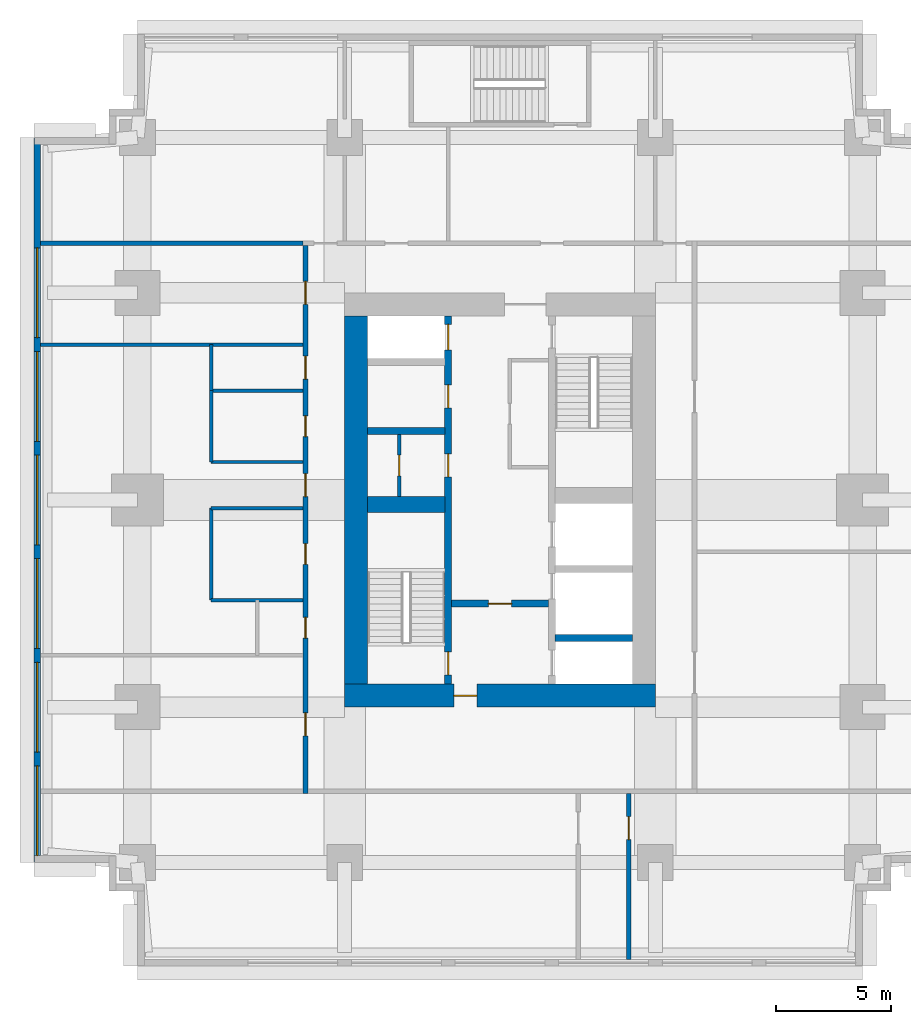
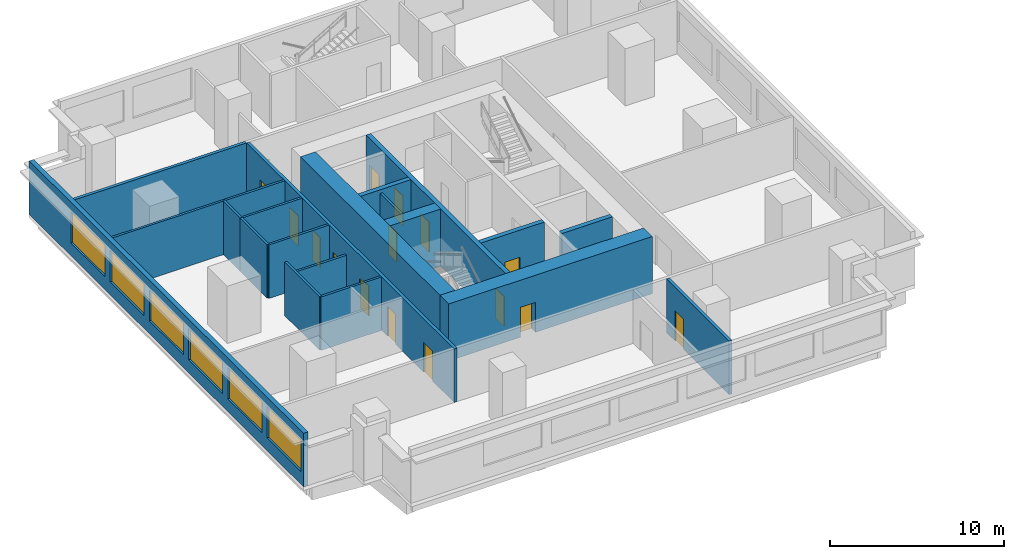
# One storey, part 3 of 11: 20 walls, 15 doors, 6 windows, 21 openings.
"""IFC4 building model written with IfcOpenShell, lengths in metres."""

from ifc_helpers import new_model, si_unit, direction, frame, frame_2d, origin, place, context, subcontext, project, spatial, rectangle, extrude, material, layer, layer_set, type_object, element, fill, save


model = new_model("IFC4")

# Units and contexts
model_context = context("Model", 3, precision=1e-05, world=origin(), true_north=direction((0.0, 1.0)))
body_context = subcontext(model_context, "Body", "Model", "MODEL_VIEW")
ifc_project = project(units=[si_unit("LENGTHUNIT", "METRE"), si_unit("AREAUNIT", "SQUARE_METRE"), si_unit("VOLUMEUNIT", "CUBIC_METRE"), si_unit("PLANEANGLEUNIT", "RADIAN"), si_unit("MASSUNIT", "GRAM", prefix="KILO")], contexts=[model_context])

# Site, building, storey
site_placement = place(None, origin())
site = spatial("IfcSite", under=ifc_project, at=site_placement, CompositionType="ELEMENT")
building_placement = place(site_placement, origin())
building = spatial("IfcBuilding", under=site, at=building_placement, Name="Namib Vertical Campus", CompositionType="ELEMENT")
storey_placement = place(building_placement, frame((0.0, 0.0, 209.0)))
storey = spatial("IfcBuildingStorey", under=building, at=storey_placement, Name="L49", CompositionType="ELEMENT", Elevation=209.0)

# Wall, openings, doors
ifc_material_1 = material(Name="Concrete C60/75", Category="concrete")
ifc_layer_1 = layer(ifc_material_1, 0.300048828125)
ifc_layer_set_1 = layer_set([ifc_layer_1], Name="Concrete C60/75")
wall_type_1 = type_object("IfcWallType", Name="Core inner wall 300", PredefinedType="SHEAR", material=ifc_layer_set_1)
wall_1_placement = place(storey_placement, frame((18.0, 12.25, 0.0), z_axis=(0.0, 0.0, 1.0), x_axis=(0.0, 1.0, 0.0)))
wall_1 = element("IfcWall", 1, at=wall_1_placement, inside=storey, type_object=wall_type_1, Name="Core inner wall A L49 W1", PredefinedType="SHEAR", context=body_context, shape_type="SweptSolid", body=[
    extrude(rectangle(XDim=16.0, YDim=0.300048828125, at=frame_2d((8.0, 0.0))), origin(), (0.0, 0.0, 1.0), 4.0),
])
opening_1_placement = place(wall_1_placement, frame((0.39990234375, 0.0, 0.0)))
opening_1 = element("IfcOpeningElement", 2, at=opening_1_placement, cuts=wall_1, Name="Opening FD1", PredefinedType="OPENING", context=body_context, shape_type="SweptSolid", body=[
    extrude(rectangle(XDim=1.0, YDim=2.10009765625, at=frame_2d((0.5, 1.050048828125))), frame((0.0, 0.159912109375, 0.0), z_axis=(0.0, -1.0, 0.0), x_axis=(1.0, 0.0, 0.0)), (0.0, 0.0, 1.0), 0.320068359375),
])
opening_2_placement = place(wall_1_placement, frame((14.52490234375, 0.0, 0.0)))
opening_2 = element("IfcOpeningElement", 3, at=opening_2_placement, cuts=wall_1, Name="Opening LD1", PredefinedType="OPENING", context=body_context, shape_type="SweptSolid", body=[
    extrude(rectangle(XDim=1.10009765625, YDim=2.10009765625, at=frame_2d((0.550048828125, 1.050048828125))), frame((0.0, 0.159912109375, 0.0), z_axis=(0.0, -1.0, 0.0), x_axis=(1.0, 0.0, 0.0)), (0.0, 0.0, 1.0), 0.320068359375),
])
opening_3_placement = place(wall_1_placement, frame((9.0, 0.0, 0.0)))
opening_3 = element("IfcOpeningElement", 4, at=opening_3_placement, cuts=wall_1, Name="Opening D1", PredefinedType="OPENING", context=body_context, shape_type="SweptSolid", body=[
    extrude(rectangle(XDim=1.0, YDim=2.10009765625, at=frame_2d((0.5, 1.050048828125))), frame((0.0, 0.159912109375, 0.0), z_axis=(0.0, -1.0, 0.0), x_axis=(1.0, 0.0, 0.0)), (0.0, 0.0, 1.0), 0.320068359375),
])
opening_4_placement = place(wall_1_placement, frame((12.0, 0.0, 0.0)))
opening_4 = element("IfcOpeningElement", 5, at=opening_4_placement, cuts=wall_1, Name="Opening D1", PredefinedType="OPENING", context=body_context, shape_type="SweptSolid", body=[
    extrude(rectangle(XDim=1.0, YDim=2.10009765625, at=frame_2d((0.5, 1.050048828125))), frame((0.0, 0.159912109375, 0.0), z_axis=(0.0, -1.0, 0.0), x_axis=(1.0, 0.0, 0.0)), (0.0, 0.0, 1.0), 0.320068359375),
])
ifc_material_2 = material(Name="Timber door leaf", Category="wood")
door_type_1 = type_object("IfcDoorType", Name="Door single 1000x2100", OperationType="SINGLE_SWING_LEFT", PredefinedType="DOOR", material=ifc_material_2)
door_1_placement = place(opening_3_placement, origin())
door_1 = element("IfcDoor", 6, at=door_1_placement, inside=storey, type_object=door_type_1, Name="Door D1 Records store A L49 P1", OperationType="SINGLE_SWING_LEFT", OverallHeight=2.10009765625, OverallWidth=1.0, PredefinedType="DOOR", context=body_context, shape_type="SweptSolid", body=[
    extrude(rectangle(XDim=1.0, YDim=2.10009765625, at=frame_2d((0.5, 1.050048828125))), frame((0.0, 0.02490234375, 0.0), z_axis=(0.0, -1.0, 0.0), x_axis=(1.0, 0.0, 0.0)), (0.0, 0.0, 1.0), 0.050048828125),
])
fill(opening_3, door_1)
door_2_placement = place(opening_4_placement, origin())
door_2 = element("IfcDoor", 7, at=door_2_placement, inside=storey, type_object=door_type_1, Name="Door D1 Staff pantry A L49 P2", OperationType="SINGLE_SWING_LEFT", OverallHeight=2.10009765625, OverallWidth=1.0, PredefinedType="DOOR", context=body_context, shape_type="SweptSolid", body=[
    extrude(rectangle(XDim=1.0, YDim=2.10009765625, at=frame_2d((0.5, 1.050048828125))), frame((0.0, 0.02490234375, 0.0), z_axis=(0.0, -1.0, 0.0), x_axis=(1.0, 0.0, 0.0)), (0.0, 0.0, 1.0), 0.050048828125),
])
fill(opening_4, door_2)
ifc_material_3 = material(Name="Steel fire door", Category="steel")
door_type_2 = type_object("IfcDoorType", Name="Fire door 1000x2100", OperationType="SINGLE_SWING_RIGHT", PredefinedType="DOOR", material=ifc_material_3)
door_3_placement = place(opening_1_placement, origin())
door_3 = element("IfcDoor", 8, at=door_3_placement, inside=storey, type_object=door_type_2, Name="Stair door FD1 A L49 S1", OperationType="SINGLE_SWING_LEFT", OverallHeight=2.10009765625, OverallWidth=1.0, PredefinedType="DOOR", context=body_context, shape_type="SweptSolid", body=[
    extrude(rectangle(XDim=1.0, YDim=2.10009765625, at=frame_2d((0.5, 1.050048828125))), frame((0.0, 0.02490234375, 0.0), z_axis=(0.0, -1.0, 0.0), x_axis=(1.0, 0.0, 0.0)), (0.0, 0.0, 1.0), 0.050048828125),
])
fill(opening_1, door_3)
ifc_material_4 = material(Name="Stainless steel lift door", Category="steel")
door_type_3 = type_object("IfcDoorType", Name="Lift landing door 1100x2100", OperationType="DOUBLE_DOOR_SLIDING", PredefinedType="DOOR", material=ifc_material_4)
door_4_placement = place(opening_2_placement, origin())
door_4 = element("IfcDoor", 9, at=door_4_placement, inside=storey, type_object=door_type_3, Name="Lift landing door LD1 A-P3 L49", OperationType="DOUBLE_DOOR_SLIDING", OverallHeight=2.10009765625, OverallWidth=1.10009765625, PredefinedType="DOOR", context=body_context, shape_type="SweptSolid", body=[
    extrude(rectangle(XDim=1.10009765625, YDim=2.10009765625, at=frame_2d((0.550048828125, 1.050048828125))), frame((0.0, 0.02490234375, 0.0), z_axis=(0.0, -1.0, 0.0), x_axis=(1.0, 0.0, 0.0)), (0.0, 0.0, 1.0), 0.050048828125),
])
fill(opening_2, door_4)

# Wall, opening, door
wall_2_placement = place(storey_placement, frame((18.14990234375, 15.75, 0.0), z_axis=(0.0, 0.0, 1.0), x_axis=(1.0, 0.0, 0.0)))
wall_2 = element("IfcWall", 10, at=wall_2_placement, inside=storey, type_object=wall_type_1, Name="Core inner wall A L49 W4", PredefinedType="SHEAR", context=body_context, shape_type="SweptSolid", body=[
    extrude(rectangle(XDim=4.2001953125, YDim=0.300048828125, at=frame_2d((2.10009765625, 0.0))), origin(), (0.0, 0.0, 1.0), 4.0),
])
opening_5_placement = place(wall_2_placement, frame((1.60009765625, 0.0, 0.0)))
opening_5 = element("IfcOpeningElement", 11, at=opening_5_placement, cuts=wall_2, Name="Opening FD5", PredefinedType="OPENING", context=body_context, shape_type="SweptSolid", body=[
    extrude(rectangle(XDim=1.0, YDim=2.10009765625, at=frame_2d((0.5, 1.050048828125))), frame((0.0, 0.159912109375, 0.0), z_axis=(0.0, -1.0, 0.0), x_axis=(1.0, 0.0, 0.0)), (0.0, 0.0, 1.0), 0.320068359375),
])
ifc_material_5 = material(Name="Steel fire door", Category="steel")
door_type_4 = type_object("IfcDoorType", Name="Fire door 1000x2100 120 min", OperationType="SINGLE_SWING_RIGHT", PredefinedType="DOOR", material=ifc_material_5)
door_5_placement = place(opening_5_placement, frame((1.0, 0.0, 0.0), z_axis=(0.0, 0.0, 1.0), x_axis=(-1.0, 0.0, 0.0)))
door_5 = element("IfcDoor", 12, at=door_5_placement, inside=storey, type_object=door_type_4, Name="Lobby door FD5 A L49", OperationType="SINGLE_SWING_RIGHT", OverallHeight=2.10009765625, OverallWidth=1.0, PredefinedType="DOOR", context=body_context, shape_type="SweptSolid", body=[
    extrude(rectangle(XDim=1.0, YDim=2.10009765625, at=frame_2d((0.5, 1.050048828125))), frame((0.0, 0.02490234375, 0.0), z_axis=(0.0, -1.0, 0.0), x_axis=(1.0, 0.0, 0.0)), (0.0, 0.0, 1.0), 0.050048828125),
])
fill(opening_5, door_5)

# Walls
for number, where, z_axis, x_axis, name in (
    (13, (22.64990234375, 14.25, 0.0), (0.0, 0.0, 1.0), (1.0, 0.0, 0.0), "Core inner wall A L49 W5"),
    (14, (14.5, 23.25, 0.0), (0.0, 0.0, 1.0), (1.0, 0.0, 0.0), "Core inner wall A L49 W8"),
):
    element("IfcWall", number, at=place(storey_placement, frame(where, z_axis=z_axis, x_axis=x_axis)), inside=storey, type_object=wall_type_1, Name=name, PredefinedType="SHEAR", context=body_context, shape_type="SweptSolid", body=[
        extrude(rectangle(XDim=3.35009765625, YDim=0.300048828125, at=frame_2d((1.675048828125, 0.0))), origin(), (0.0, 0.0, 1.0), 4.0),
    ])
ifc_material_6 = material(Name="Concrete C60/75", Category="concrete")
ifc_layer_2 = layer(ifc_material_6, 0.699951171875)
ifc_layer_set_2 = layer_set([ifc_layer_2], Name="Concrete C60/75")
wall_type_2 = type_object("IfcWallType", Name="Core shear wall 700", PredefinedType="SHEAR", material=ifc_layer_set_2)
wall_3_placement = place(storey_placement, frame((14.5, 20.050048828125, 0.0), z_axis=(0.0, 0.0, 1.0), x_axis=(1.0, 0.0, 0.0)))
element("IfcWall", 15, at=wall_3_placement, inside=storey, type_object=wall_type_2, Name="Core shear wall A L49 W3", PredefinedType="SHEAR", context=body_context, shape_type="SweptSolid", body=[
    extrude(rectangle(XDim=3.35009765625, YDim=0.699951171875, at=frame_2d((1.675048828125, 0.0))), origin(), (0.0, 0.0, 1.0), 4.0),
])

# Wall, opening, door
ifc_material_7 = material(Name="Concrete C60/75", Category="concrete")
ifc_layer_3 = layer(ifc_material_7, 1.0)
ifc_layer_set_3 = layer_set([ifc_layer_3], Name="Concrete C60/75")
wall_type_3 = type_object("IfcWallType", Name="Core wall 1000", PredefinedType="SHEAR", material=ifc_layer_set_3)
wall_4_placement = place(storey_placement, frame((13.5, 11.75, 0.0), z_axis=(0.0, 0.0, 1.0), x_axis=(1.0, 0.0, 0.0)))
wall_4 = element("IfcWall", 16, at=wall_4_placement, inside=storey, type_object=wall_type_3, Name="Core wall A L49 1", PredefinedType="SHEAR", context=body_context, shape_type="SweptSolid", body=[
    extrude(rectangle(XDim=13.5, YDim=1.0, at=frame_2d((6.75, 0.0))), origin(), (0.0, 0.0, 1.0), 4.0),
])
opening_6_placement = place(wall_4_placement, frame((4.75, 0.0, 0.0)))
opening_6 = element("IfcOpeningElement", 17, at=opening_6_placement, cuts=wall_4, Name="Opening FD5", PredefinedType="OPENING", context=body_context, shape_type="SweptSolid", body=[
    extrude(rectangle(XDim=1.0, YDim=2.10009765625, at=frame_2d((0.5, 1.050048828125))), frame((0.0, 0.510009765625, 0.0), z_axis=(0.0, -1.0, 0.0), x_axis=(1.0, 0.0, 0.0)), (0.0, 0.0, 1.0), 1.02001953125),
])
door_6_placement = place(opening_6_placement, origin())
door_6 = element("IfcDoor", 18, at=door_6_placement, inside=storey, type_object=door_type_4, Name="Firefighting lobby door FD5 A L49", OperationType="SINGLE_SWING_LEFT", OverallHeight=2.10009765625, OverallWidth=1.0, PredefinedType="DOOR", context=body_context, shape_type="SweptSolid", body=[
    extrude(rectangle(XDim=1.0, YDim=2.10009765625, at=frame_2d((0.5, 1.050048828125))), frame((0.0, 0.02490234375, 0.0), z_axis=(0.0, -1.0, 0.0), x_axis=(1.0, 0.0, 0.0)), (0.0, 0.0, 1.0), 0.050048828125),
])
fill(opening_6, door_6)

# Wall
wall_5_placement = place(storey_placement, frame((14.0, 28.25, 0.0), z_axis=(0.0, 0.0, 1.0), x_axis=(0.0, -1.0, 0.0)))
element("IfcWall", 19, at=wall_5_placement, inside=storey, type_object=wall_type_3, Name="Core wall A L49 4", PredefinedType="SHEAR", context=body_context, shape_type="SweptSolid", body=[
    extrude(rectangle(XDim=16.0, YDim=1.0, at=frame_2d((8.0, 0.0))), origin(), (0.0, 0.0, 1.0), 4.0),
])

# Wall, openings, doors
ifc_material_8 = material(Name="Concrete masonry", Category="masonry")
ifc_layer_4 = layer(ifc_material_8, 0.199951171875)
ifc_layer_set_4 = layer_set([ifc_layer_4], Name="Corridor wall 200")
wall_type_4 = type_object("IfcWallType", Name="Corridor wall 200", PredefinedType="SOLIDWALL", material=ifc_layer_set_4)
wall_6_placement = place(storey_placement, frame((11.800048828125, 31.300048828125, 0.0), z_axis=(0.0, 0.0, 1.0), x_axis=(0.0, -1.0, 0.0)))
wall_6 = element("IfcWall", 20, at=wall_6_placement, inside=storey, type_object=wall_type_4, Name="Corridor wall A L49 CW", PredefinedType="SOLIDWALL", context=body_context, shape_type="SweptSolid", body=[
    extrude(rectangle(XDim=23.800048828125, YDim=0.199951171875, at=frame_2d((11.89990234375, 0.0))), origin(), (0.0, 0.0, 1.0), 3.75),
])
opening_7_placement = place(wall_6_placement, frame((20.300048828125, 0.0, 0.0)))
opening_7 = element("IfcOpeningElement", 21, at=opening_7_placement, cuts=wall_6, Name="Opening CD1", PredefinedType="OPENING", context=body_context, shape_type="SweptSolid", body=[
    extrude(rectangle(XDim=1.0, YDim=2.10009765625, at=frame_2d((0.5, 1.050048828125))), frame((0.0, 0.10986328125, 0.0), z_axis=(0.0, -1.0, 0.0), x_axis=(1.0, 0.0, 0.0)), (0.0, 0.0, 1.0), 0.219970703125),
])
opening_8_placement = place(wall_6_placement, frame((16.14990234375, 0.0, 0.0)))
opening_8 = element("IfcOpeningElement", 22, at=opening_8_placement, cuts=wall_6, Name="Opening CD3", PredefinedType="OPENING", context=body_context, shape_type="SweptSolid", body=[
    extrude(rectangle(XDim=0.89990234375, YDim=2.10009765625, at=frame_2d((0.449951171875, 1.050048828125))), frame((0.0, 0.10986328125, 0.0), z_axis=(0.0, -1.0, 0.0), x_axis=(1.0, 0.0, 0.0)), (0.0, 0.0, 1.0), 0.219970703125),
])
opening_9_placement = place(wall_6_placement, frame((12.949951171875, 0.0, 0.0)))
opening_9 = element("IfcOpeningElement", 23, at=opening_9_placement, cuts=wall_6, Name="Opening CD3", PredefinedType="OPENING", context=body_context, shape_type="SweptSolid", body=[
    extrude(rectangle(XDim=0.89990234375, YDim=2.10009765625, at=frame_2d((0.449951171875, 1.050048828125))), frame((0.0, 0.10986328125, 0.0), z_axis=(0.0, -1.0, 0.0), x_axis=(1.0, 0.0, 0.0)), (0.0, 0.0, 1.0), 0.219970703125),
])
opening_10_placement = place(wall_6_placement, frame((7.39990234375, 0.0, 0.0)))
opening_10 = element("IfcOpeningElement", 24, at=opening_10_placement, cuts=wall_6, Name="Opening CD3", PredefinedType="OPENING", context=body_context, shape_type="SweptSolid", body=[
    extrude(rectangle(XDim=0.89990234375, YDim=2.10009765625, at=frame_2d((0.449951171875, 1.050048828125))), frame((0.0, 0.10986328125, 0.0), z_axis=(0.0, -1.0, 0.0), x_axis=(1.0, 0.0, 0.0)), (0.0, 0.0, 1.0), 0.219970703125),
])
opening_11_placement = place(wall_6_placement, frame((4.800048828125, 0.0, 0.0)))
opening_11 = element("IfcOpeningElement", 25, at=opening_11_placement, cuts=wall_6, Name="Opening CD1", PredefinedType="OPENING", context=body_context, shape_type="SweptSolid", body=[
    extrude(rectangle(XDim=1.0, YDim=2.10009765625, at=frame_2d((0.5, 1.050048828125))), frame((0.0, 0.10986328125, 0.0), z_axis=(0.0, -1.0, 0.0), x_axis=(1.0, 0.0, 0.0)), (0.0, 0.0, 1.0), 0.219970703125),
])
opening_12_placement = place(wall_6_placement, frame((9.89990234375, 0.0, 0.0)))
opening_12 = element("IfcOpeningElement", 26, at=opening_12_placement, cuts=wall_6, Name="Opening CD1", PredefinedType="OPENING", context=body_context, shape_type="SweptSolid", body=[
    extrude(rectangle(XDim=1.0, YDim=2.10009765625, at=frame_2d((0.5, 1.050048828125))), frame((0.0, 0.10986328125, 0.0), z_axis=(0.0, -1.0, 0.0), x_axis=(1.0, 0.0, 0.0)), (0.0, 0.0, 1.0), 0.219970703125),
])
opening_13_placement = place(wall_6_placement, frame((1.550048828125, 0.0, 0.0)))
opening_13 = element("IfcOpeningElement", 27, at=opening_13_placement, cuts=wall_6, Name="Opening CD1", PredefinedType="OPENING", context=body_context, shape_type="SweptSolid", body=[
    extrude(rectangle(XDim=1.0, YDim=2.10009765625, at=frame_2d((0.5, 1.050048828125))), frame((0.0, 0.10986328125, 0.0), z_axis=(0.0, -1.0, 0.0), x_axis=(1.0, 0.0, 0.0)), (0.0, 0.0, 1.0), 0.219970703125),
])
ifc_material_9 = material(Name="Timber fire door leaf", Category="wood")
door_type_5 = type_object("IfcDoorType", Name="Corridor door 1000x2100 20 min", OperationType="SINGLE_SWING_LEFT", PredefinedType="DOOR", material=ifc_material_9)
door_7_placement = place(opening_7_placement, frame((1.0, 0.0, 0.0), z_axis=(0.0, 0.0, 1.0), x_axis=(-1.0, 0.0, 0.0)))
door_7 = element("IfcDoor", 28, at=door_7_placement, inside=storey, type_object=door_type_5, Name="Door CD1 A49-09", OperationType="SINGLE_SWING_RIGHT", OverallHeight=2.10009765625, OverallWidth=1.0, PredefinedType="DOOR", context=body_context, shape_type="SweptSolid", body=[
    extrude(rectangle(XDim=1.0, YDim=2.10009765625, at=frame_2d((0.5, 1.050048828125))), frame((0.0, 0.02490234375, 0.0), z_axis=(0.0, -1.0, 0.0), x_axis=(1.0, 0.0, 0.0)), (0.0, 0.0, 1.0), 0.050048828125),
])
fill(opening_7, door_7)
door_8_placement = place(opening_11_placement, frame((1.0, 0.0, 0.0), z_axis=(0.0, 0.0, 1.0), x_axis=(-1.0, 0.0, 0.0)))
door_8 = element("IfcDoor", 29, at=door_8_placement, inside=storey, type_object=door_type_5, Name="Door CD1 A49-13", OperationType="SINGLE_SWING_RIGHT", OverallHeight=2.10009765625, OverallWidth=1.0, PredefinedType="DOOR", context=body_context, shape_type="SweptSolid", body=[
    extrude(rectangle(XDim=1.0, YDim=2.10009765625, at=frame_2d((0.5, 1.050048828125))), frame((0.0, 0.02490234375, 0.0), z_axis=(0.0, -1.0, 0.0), x_axis=(1.0, 0.0, 0.0)), (0.0, 0.0, 1.0), 0.050048828125),
])
fill(opening_11, door_8)
door_9_placement = place(opening_12_placement, frame((1.0, 0.0, 0.0), z_axis=(0.0, 0.0, 1.0), x_axis=(-1.0, 0.0, 0.0)))
door_9 = element("IfcDoor", 30, at=door_9_placement, inside=storey, type_object=door_type_5, Name="Door CD1 A49-14", OperationType="SINGLE_SWING_RIGHT", OverallHeight=2.10009765625, OverallWidth=1.0, PredefinedType="DOOR", context=body_context, shape_type="SweptSolid", body=[
    extrude(rectangle(XDim=1.0, YDim=2.10009765625, at=frame_2d((0.5, 1.050048828125))), frame((0.0, 0.02490234375, 0.0), z_axis=(0.0, -1.0, 0.0), x_axis=(1.0, 0.0, 0.0)), (0.0, 0.0, 1.0), 0.050048828125),
])
fill(opening_12, door_9)
door_10_placement = place(opening_13_placement, frame((1.0, 0.0, 0.0), z_axis=(0.0, 0.0, 1.0), x_axis=(-1.0, 0.0, 0.0)))
door_10 = element("IfcDoor", 31, at=door_10_placement, inside=storey, type_object=door_type_5, Name="Door CD1 A49-15", OperationType="SINGLE_SWING_RIGHT", OverallHeight=2.10009765625, OverallWidth=1.0, PredefinedType="DOOR", context=body_context, shape_type="SweptSolid", body=[
    extrude(rectangle(XDim=1.0, YDim=2.10009765625, at=frame_2d((0.5, 1.050048828125))), frame((0.0, 0.02490234375, 0.0), z_axis=(0.0, -1.0, 0.0), x_axis=(1.0, 0.0, 0.0)), (0.0, 0.0, 1.0), 0.050048828125),
])
fill(opening_13, door_10)
ifc_material_10 = material(Name="Timber fire door leaf", Category="wood")
door_type_6 = type_object("IfcDoorType", Name="Corridor toilet door 900x2100 20 min", OperationType="SINGLE_SWING_LEFT", PredefinedType="DOOR", material=ifc_material_10)
door_11_placement = place(opening_8_placement, frame((0.89990234375, 0.0, 0.0), z_axis=(0.0, 0.0, 1.0), x_axis=(-1.0, 0.0, 0.0)))
door_11 = element("IfcDoor", 32, at=door_11_placement, inside=storey, type_object=door_type_6, Name="Door CD3 A49-10", OperationType="SINGLE_SWING_RIGHT", OverallHeight=2.10009765625, OverallWidth=0.89990234375, PredefinedType="DOOR", context=body_context, shape_type="SweptSolid", body=[
    extrude(rectangle(XDim=0.89990234375, YDim=2.10009765625, at=frame_2d((0.449951171875, 1.050048828125))), frame((0.0, 0.02490234375, 0.0), z_axis=(0.0, -1.0, 0.0), x_axis=(1.0, 0.0, 0.0)), (0.0, 0.0, 1.0), 0.050048828125),
])
fill(opening_8, door_11)
door_12_placement = place(opening_9_placement, frame((0.89990234375, 0.0, 0.0), z_axis=(0.0, 0.0, 1.0), x_axis=(-1.0, 0.0, 0.0)))
door_12 = element("IfcDoor", 33, at=door_12_placement, inside=storey, type_object=door_type_6, Name="Door CD3 A49-11", OperationType="SINGLE_SWING_RIGHT", OverallHeight=2.10009765625, OverallWidth=0.89990234375, PredefinedType="DOOR", context=body_context, shape_type="SweptSolid", body=[
    extrude(rectangle(XDim=0.89990234375, YDim=2.10009765625, at=frame_2d((0.449951171875, 1.050048828125))), frame((0.0, 0.02490234375, 0.0), z_axis=(0.0, -1.0, 0.0), x_axis=(1.0, 0.0, 0.0)), (0.0, 0.0, 1.0), 0.050048828125),
])
fill(opening_9, door_12)
door_13_placement = place(opening_10_placement, frame((0.89990234375, 0.0, 0.0), z_axis=(0.0, 0.0, 1.0), x_axis=(-1.0, 0.0, 0.0)))
door_13 = element("IfcDoor", 34, at=door_13_placement, inside=storey, type_object=door_type_6, Name="Door CD3 A49-12", OperationType="SINGLE_SWING_RIGHT", OverallHeight=2.10009765625, OverallWidth=0.89990234375, PredefinedType="DOOR", context=body_context, shape_type="SweptSolid", body=[
    extrude(rectangle(XDim=0.89990234375, YDim=2.10009765625, at=frame_2d((0.449951171875, 1.050048828125))), frame((0.0, 0.02490234375, 0.0), z_axis=(0.0, -1.0, 0.0), x_axis=(1.0, 0.0, 0.0)), (0.0, 0.0, 1.0), 0.050048828125),
])
fill(opening_10, door_13)

# Wall, opening, door
wall_7_placement = place(storey_placement, frame((25.85009765625, 7.5, 0.0), z_axis=(0.0, 0.0, 1.0), x_axis=(0.0, -1.0, 0.0)))
wall_7 = element("IfcWall", 35, at=wall_7_placement, inside=storey, type_object=wall_type_4, Name="Corridor wall A L49 SPS2", PredefinedType="SOLIDWALL", context=body_context, shape_type="SweptSolid", body=[
    extrude(rectangle(XDim=7.199951171875, YDim=0.199951171875, at=frame_2d((3.60009765625, 0.0))), origin(), (0.0, 0.0, 1.0), 3.75),
])
opening_14_placement = place(wall_7_placement, frame((1.0, 0.0, 0.0)))
opening_14 = element("IfcOpeningElement", 36, at=opening_14_placement, cuts=wall_7, Name="Opening CD1", PredefinedType="OPENING", context=body_context, shape_type="SweptSolid", body=[
    extrude(rectangle(XDim=1.0, YDim=2.10009765625, at=frame_2d((0.5, 1.050048828125))), frame((0.0, 0.10986328125, 0.0), z_axis=(0.0, -1.0, 0.0), x_axis=(1.0, 0.0, 0.0)), (0.0, 0.0, 1.0), 0.219970703125),
])
door_14_placement = place(opening_14_placement, origin())
door_14 = element("IfcDoor", 37, at=door_14_placement, inside=storey, type_object=door_type_5, Name="Door CD1 A49-02", OperationType="SINGLE_SWING_LEFT", OverallHeight=2.10009765625, OverallWidth=1.0, PredefinedType="DOOR", context=body_context, shape_type="SweptSolid", body=[
    extrude(rectangle(XDim=1.0, YDim=2.10009765625, at=frame_2d((0.5, 1.050048828125))), frame((0.0, 0.02490234375, 0.0), z_axis=(0.0, -1.0, 0.0), x_axis=(1.0, 0.0, 0.0)), (0.0, 0.0, 1.0), 0.050048828125),
])
fill(opening_14, door_14)

# Wall
wall_8_placement = place(storey_placement, frame((0.300048828125, 31.39990234375, 0.0), z_axis=(0.0, 0.0, 1.0), x_axis=(1.0, 0.0, 0.0)))
element("IfcWall", 38, at=wall_8_placement, inside=storey, type_object=wall_type_4, Name="Partition A L49 BNW", PredefinedType="SOLIDWALL", context=body_context, shape_type="SweptSolid", body=[
    extrude(rectangle(XDim=11.39990234375, YDim=0.199951171875, at=frame_2d((5.699951171875, 0.0))), origin(), (0.0, 0.0, 1.0), 3.75),
])

# Wall, openings, windows
ifc_material_11 = material(Name="Concrete C40/50", Category="concrete")
ifc_layer_5 = layer(ifc_material_11, 0.300048828125)
ifc_layer_set_5 = layer_set([ifc_layer_5], Name="Concrete C40/50")
wall_type_5 = type_object("IfcWallType", Name="External wall 300 board-marked concrete", PredefinedType="STANDARD", material=ifc_layer_set_5)
wall_9_placement = place(storey_placement, frame((0.14990234375, 35.97998046875, 0.0), z_axis=(0.0, 0.0, 1.0), x_axis=(0.0, -1.0, 0.0)))
wall_9 = element("IfcWall", 39, at=wall_9_placement, inside=storey, type_object=wall_type_5, Name="External wall L49 F16", PredefinedType="STANDARD", context=body_context, shape_type="SweptSolid", body=[
    extrude(rectangle(XDim=31.4599609375, YDim=0.300048828125, at=frame_2d((15.72998046875, 0.0))), origin(), (0.0, 0.0, 1.0), 3.75),
])
opening_15_placement = place(wall_9_placement, frame((27.280029296875, 0.0, 0.89990234375)))
opening_15 = element("IfcOpeningElement", 40, at=opening_15_placement, cuts=wall_9, Name="Opening W1", PredefinedType="OPENING", context=body_context, shape_type="SweptSolid", body=[
    extrude(rectangle(XDim=3.89990234375, YDim=2.199951171875, at=frame_2d((1.949951171875, 1.10009765625))), frame((0.0, 0.159912109375, 0.0), z_axis=(0.0, -1.0, 0.0), x_axis=(1.0, 0.0, 0.0)), (0.0, 0.0, 1.0), 0.320068359375),
])
opening_16_placement = place(wall_9_placement, frame((22.780029296875, 0.0, 0.89990234375)))
opening_16 = element("IfcOpeningElement", 41, at=opening_16_placement, cuts=wall_9, Name="Opening W1", PredefinedType="OPENING", context=body_context, shape_type="SweptSolid", body=[
    extrude(rectangle(XDim=3.89990234375, YDim=2.199951171875, at=frame_2d((1.949951171875, 1.10009765625))), frame((0.0, 0.159912109375, 0.0), z_axis=(0.0, -1.0, 0.0), x_axis=(1.0, 0.0, 0.0)), (0.0, 0.0, 1.0), 0.320068359375),
])
opening_17_placement = place(wall_9_placement, frame((18.280029296875, 0.0, 0.89990234375)))
opening_17 = element("IfcOpeningElement", 42, at=opening_17_placement, cuts=wall_9, Name="Opening W1", PredefinedType="OPENING", context=body_context, shape_type="SweptSolid", body=[
    extrude(rectangle(XDim=3.89990234375, YDim=2.199951171875, at=frame_2d((1.949951171875, 1.10009765625))), frame((0.0, 0.159912109375, 0.0), z_axis=(0.0, -1.0, 0.0), x_axis=(1.0, 0.0, 0.0)), (0.0, 0.0, 1.0), 0.320068359375),
])
opening_18_placement = place(wall_9_placement, frame((13.780029296875, 0.0, 0.89990234375)))
opening_18 = element("IfcOpeningElement", 43, at=opening_18_placement, cuts=wall_9, Name="Opening W1", PredefinedType="OPENING", context=body_context, shape_type="SweptSolid", body=[
    extrude(rectangle(XDim=3.89990234375, YDim=2.199951171875, at=frame_2d((1.949951171875, 1.10009765625))), frame((0.0, 0.159912109375, 0.0), z_axis=(0.0, -1.0, 0.0), x_axis=(1.0, 0.0, 0.0)), (0.0, 0.0, 1.0), 0.320068359375),
])
opening_19_placement = place(wall_9_placement, frame((9.280029296875, 0.0, 0.89990234375)))
opening_19 = element("IfcOpeningElement", 44, at=opening_19_placement, cuts=wall_9, Name="Opening W1", PredefinedType="OPENING", context=body_context, shape_type="SweptSolid", body=[
    extrude(rectangle(XDim=3.89990234375, YDim=2.199951171875, at=frame_2d((1.949951171875, 1.10009765625))), frame((0.0, 0.159912109375, 0.0), z_axis=(0.0, -1.0, 0.0), x_axis=(1.0, 0.0, 0.0)), (0.0, 0.0, 1.0), 0.320068359375),
])
opening_20_placement = place(wall_9_placement, frame((4.780029296875, 0.0, 0.89990234375)))
opening_20 = element("IfcOpeningElement", 45, at=opening_20_placement, cuts=wall_9, Name="Opening W1", PredefinedType="OPENING", context=body_context, shape_type="SweptSolid", body=[
    extrude(rectangle(XDim=3.89990234375, YDim=2.199951171875, at=frame_2d((1.949951171875, 1.10009765625))), frame((0.0, 0.159912109375, 0.0), z_axis=(0.0, -1.0, 0.0), x_axis=(1.0, 0.0, 0.0)), (0.0, 0.0, 1.0), 0.320068359375),
])
ifc_material_12 = material(Name="Dark tinted glass in black aluminium frame", Category="aluminium")
window_type = type_object("IfcWindowType", Name="Ribbon window 3900x2200", PartitioningType="SINGLE_PANEL", PredefinedType="WINDOW", material=ifc_material_12)
window_1_placement = place(opening_15_placement, origin())
window_1 = element("IfcWindow", 46, at=window_1_placement, inside=storey, type_object=window_type, Name="Window W1 L49 F16-1", OverallHeight=2.199951171875, OverallWidth=3.89990234375, PartitioningType="SINGLE_PANEL", PredefinedType="WINDOW", context=body_context, shape_type="SweptSolid", body=[
    extrude(rectangle(XDim=3.89990234375, YDim=2.199951171875, at=frame_2d((1.949951171875, 1.10009765625))), frame((0.0, 0.030029296875, 0.0), z_axis=(0.0, -1.0, 0.0), x_axis=(1.0, 0.0, 0.0)), (0.0, 0.0, 1.0), 0.06005859375),
])
fill(opening_15, window_1)
window_2_placement = place(opening_16_placement, origin())
window_2 = element("IfcWindow", 47, at=window_2_placement, inside=storey, type_object=window_type, Name="Window W1 L49 F16-2", OverallHeight=2.199951171875, OverallWidth=3.89990234375, PartitioningType="SINGLE_PANEL", PredefinedType="WINDOW", context=body_context, shape_type="SweptSolid", body=[
    extrude(rectangle(XDim=3.89990234375, YDim=2.199951171875, at=frame_2d((1.949951171875, 1.10009765625))), frame((0.0, 0.030029296875, 0.0), z_axis=(0.0, -1.0, 0.0), x_axis=(1.0, 0.0, 0.0)), (0.0, 0.0, 1.0), 0.06005859375),
])
fill(opening_16, window_2)
window_3_placement = place(opening_17_placement, origin())
window_3 = element("IfcWindow", 48, at=window_3_placement, inside=storey, type_object=window_type, Name="Window W1 L49 F16-3", OverallHeight=2.199951171875, OverallWidth=3.89990234375, PartitioningType="SINGLE_PANEL", PredefinedType="WINDOW", context=body_context, shape_type="SweptSolid", body=[
    extrude(rectangle(XDim=3.89990234375, YDim=2.199951171875, at=frame_2d((1.949951171875, 1.10009765625))), frame((0.0, 0.030029296875, 0.0), z_axis=(0.0, -1.0, 0.0), x_axis=(1.0, 0.0, 0.0)), (0.0, 0.0, 1.0), 0.06005859375),
])
fill(opening_17, window_3)
window_4_placement = place(opening_18_placement, origin())
window_4 = element("IfcWindow", 49, at=window_4_placement, inside=storey, type_object=window_type, Name="Window W1 L49 F16-4", OverallHeight=2.199951171875, OverallWidth=3.89990234375, PartitioningType="SINGLE_PANEL", PredefinedType="WINDOW", context=body_context, shape_type="SweptSolid", body=[
    extrude(rectangle(XDim=3.89990234375, YDim=2.199951171875, at=frame_2d((1.949951171875, 1.10009765625))), frame((0.0, 0.030029296875, 0.0), z_axis=(0.0, -1.0, 0.0), x_axis=(1.0, 0.0, 0.0)), (0.0, 0.0, 1.0), 0.06005859375),
])
fill(opening_18, window_4)
window_5_placement = place(opening_19_placement, origin())
window_5 = element("IfcWindow", 50, at=window_5_placement, inside=storey, type_object=window_type, Name="Window W1 L49 F16-5", OverallHeight=2.199951171875, OverallWidth=3.89990234375, PartitioningType="SINGLE_PANEL", PredefinedType="WINDOW", context=body_context, shape_type="SweptSolid", body=[
    extrude(rectangle(XDim=3.89990234375, YDim=2.199951171875, at=frame_2d((1.949951171875, 1.10009765625))), frame((0.0, 0.030029296875, 0.0), z_axis=(0.0, -1.0, 0.0), x_axis=(1.0, 0.0, 0.0)), (0.0, 0.0, 1.0), 0.06005859375),
])
fill(opening_19, window_5)
window_6_placement = place(opening_20_placement, origin())
window_6 = element("IfcWindow", 51, at=window_6_placement, inside=storey, type_object=window_type, Name="Window W1 L49 F16-6", OverallHeight=2.199951171875, OverallWidth=3.89990234375, PartitioningType="SINGLE_PANEL", PredefinedType="WINDOW", context=body_context, shape_type="SweptSolid", body=[
    extrude(rectangle(XDim=3.89990234375, YDim=2.199951171875, at=frame_2d((1.949951171875, 1.10009765625))), frame((0.0, 0.030029296875, 0.0), z_axis=(0.0, -1.0, 0.0), x_axis=(1.0, 0.0, 0.0)), (0.0, 0.0, 1.0), 0.06005859375),
])
fill(opening_20, window_6)

# Wall, opening, door
ifc_material_13 = material(Name="Gypsum board on steel studs", Category="steel")
ifc_layer_6 = layer(ifc_material_13, 0.14990234375)
ifc_layer_set_6 = layer_set([ifc_layer_6], Name="Gypsum board on steel studs")
wall_type_6 = type_object("IfcWallType", Name="Partition 150", PredefinedType="PARTITIONING", material=ifc_layer_set_6)
wall_10_placement = place(storey_placement, frame((15.875, 20.39990234375, 0.0), z_axis=(0.0, 0.0, 1.0), x_axis=(0.0, 1.0, 0.0)))
wall_10 = element("IfcWall", 52, at=wall_10_placement, inside=storey, type_object=wall_type_6, Name="Partition A L49 Records store P1 back", PredefinedType="PARTITIONING", context=body_context, shape_type="SweptSolid", body=[
    extrude(rectangle(XDim=2.7001953125, YDim=0.14990234375, at=frame_2d((1.35009765625, 0.0))), origin(), (0.0, 0.0, 1.0), 3.75),
])
opening_21_placement = place(wall_10_placement, frame((0.89990234375, 0.0, 0.0)))
opening_21 = element("IfcOpeningElement", 53, at=opening_21_placement, cuts=wall_10, Name="Opening D3", PredefinedType="OPENING", context=body_context, shape_type="SweptSolid", body=[
    extrude(rectangle(XDim=0.89990234375, YDim=2.10009765625, at=frame_2d((0.449951171875, 1.050048828125))), frame((0.0, 0.0849609375, 0.0), z_axis=(0.0, -1.0, 0.0), x_axis=(1.0, 0.0, 0.0)), (0.0, 0.0, 1.0), 0.169921875),
])
ifc_material_14 = material(Name="Timber door leaf", Category="wood")
door_type_7 = type_object("IfcDoorType", Name="Toilet door 900x2100", OperationType="SINGLE_SWING_LEFT", PredefinedType="DOOR", material=ifc_material_14)
door_15_placement = place(opening_21_placement, origin())
door_15 = element("IfcDoor", 54, at=door_15_placement, inside=storey, type_object=door_type_7, Name="Door D3 Store A L49 P1", OperationType="SINGLE_SWING_LEFT", OverallHeight=2.10009765625, OverallWidth=0.89990234375, PredefinedType="DOOR", context=body_context, shape_type="SweptSolid", body=[
    extrude(rectangle(XDim=0.89990234375, YDim=2.10009765625, at=frame_2d((0.449951171875, 1.050048828125))), frame((0.0, 0.02490234375, 0.0), z_axis=(0.0, -1.0, 0.0), x_axis=(1.0, 0.0, 0.0)), (0.0, 0.0, 1.0), 0.050048828125),
])
fill(opening_21, door_15)

# Walls
wall_11_placement = place(storey_placement, frame((0.300048828125, 27.0, 0.0), z_axis=(0.0, 0.0, 1.0), x_axis=(1.0, 0.0, 0.0)))
element("IfcWall", 55, at=wall_11_placement, inside=storey, type_object=wall_type_6, Name="Partition A L49 PW2", PredefinedType="PARTITIONING", context=body_context, shape_type="SweptSolid", body=[
    extrude(rectangle(XDim=11.39990234375, YDim=0.14990234375, at=frame_2d((5.699951171875, 0.0))), origin(), (0.0, 0.0, 1.0), 3.75),
])
wall_12_placement = place(storey_placement, frame((11.699951171875, 15.89990234375, 0.0), z_axis=(0.0, 0.0, 1.0), x_axis=(-1.0, 0.0, 0.0)))
element("IfcWall", 56, at=wall_12_placement, inside=storey, type_object=wall_type_6, Name="Partition A L49 WR1", PredefinedType="PARTITIONING", context=body_context, shape_type="SweptSolid", body=[
    extrude(rectangle(XDim=4.0, YDim=0.14990234375, at=frame_2d((2.0, 0.0))), origin(), (0.0, 0.0, 1.0), 3.75),
])
wall_13_placement = place(storey_placement, frame((11.699951171875, 19.89990234375, 0.0), z_axis=(0.0, 0.0, 1.0), x_axis=(-1.0, 0.0, 0.0)))
element("IfcWall", 57, at=wall_13_placement, inside=storey, type_object=wall_type_6, Name="Partition A L49 WR2", PredefinedType="PARTITIONING", context=body_context, shape_type="SweptSolid", body=[
    extrude(rectangle(XDim=4.0, YDim=0.14990234375, at=frame_2d((2.0, 0.0))), origin(), (0.0, 0.0, 1.0), 2.85009765625),
])
for number, where, z_axis, x_axis, name in (
    (58, (11.699951171875, 21.89990234375, 0.0), (0.0, 0.0, 1.0), (-1.0, 0.0, 0.0), "Partition A L49 WR3"),
    (59, (11.699951171875, 25.0, 0.0), (0.0, 0.0, 1.0), (-1.0, 0.0, 0.0), "Partition A L49 WR4"),
    (60, (7.699951171875, 15.89990234375, 0.0), (0.0, 0.0, 1.0), (0.0, 1.0, 0.0), "Partition A L49 WB2"),
):
    element("IfcWall", number, at=place(storey_placement, frame(where, z_axis=z_axis, x_axis=x_axis)), inside=storey, type_object=wall_type_6, Name=name, PredefinedType="PARTITIONING", context=body_context, shape_type="SweptSolid", body=[
        extrude(rectangle(XDim=4.0, YDim=0.14990234375, at=frame_2d((2.0, 0.0))), origin(), (0.0, 0.0, 1.0), 3.75),
    ])
wall_14_placement = place(storey_placement, frame((7.699951171875, 21.89990234375, 0.0), z_axis=(0.0, 0.0, 1.0), x_axis=(0.0, 1.0, 0.0)))
element("IfcWall", 61, at=wall_14_placement, inside=storey, type_object=wall_type_6, Name="Partition A L49 WB3", PredefinedType="PARTITIONING", context=body_context, shape_type="SweptSolid", body=[
    extrude(rectangle(XDim=3.10009765625, YDim=0.14990234375, at=frame_2d((1.550048828125, 0.0))), origin(), (0.0, 0.0, 1.0), 3.75),
])
wall_15_placement = place(storey_placement, frame((7.699951171875, 25.0, 0.0), z_axis=(0.0, 0.0, 1.0), x_axis=(0.0, 1.0, 0.0)))
element("IfcWall", 62, at=wall_15_placement, inside=storey, type_object=wall_type_6, Name="Partition A L49 WB4", PredefinedType="PARTITIONING", context=body_context, shape_type="SweptSolid", body=[
    extrude(rectangle(XDim=2.0, YDim=0.14990234375, at=frame_2d((1.0, 0.0))), origin(), (0.0, 0.0, 1.0), 3.75),
])

save(model, "model.ifc")
